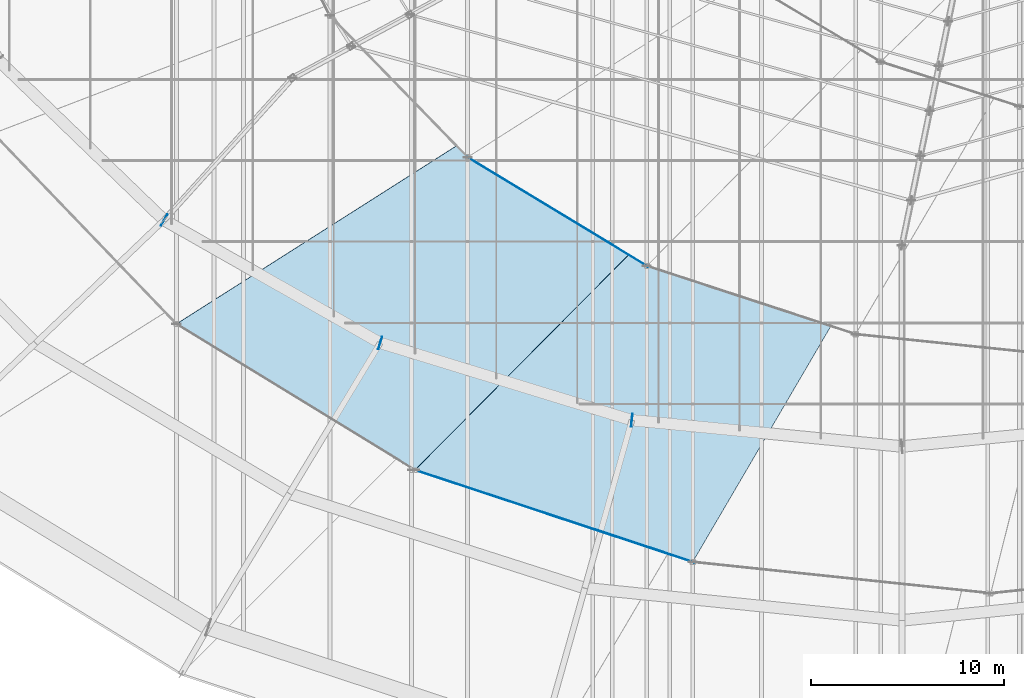
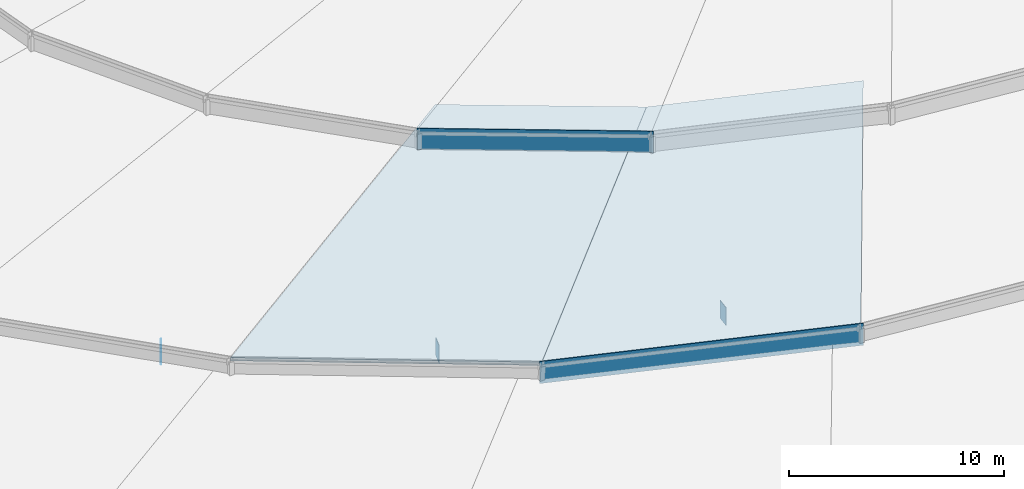
# One storey, part 137 of 184: 5 plates, 2 slabs.
"""IFC4 building model written with IfcOpenShell, lengths in metres."""

from ifc_helpers import new_model, si_unit, direction, frame, origin, origin_2d, place, context, subcontext, project, spatial, polyline, rectangle, outline, extrude, material, layer, layer_set, type_object, element, save


model = new_model("IFC4")

# Units and contexts
model_context = context("Model", 3, precision=1e-05, world=origin(), true_north=direction((0.0, 1.0)))
body_context = subcontext(model_context, "Body", "Model", "MODEL_VIEW")
ifc_project = project(units=[si_unit("LENGTHUNIT", "METRE"), si_unit("AREAUNIT", "SQUARE_METRE"), si_unit("VOLUMEUNIT", "CUBIC_METRE"), si_unit("PLANEANGLEUNIT", "RADIAN"), si_unit("MASSUNIT", "GRAM", prefix="KILO")], contexts=[model_context])

# Site, building, storey
site_placement = place(None, origin())
site = spatial("IfcSite", under=ifc_project, at=site_placement, CompositionType="ELEMENT")
building_placement = place(site_placement, origin())
building = spatial("IfcBuilding", under=site, at=building_placement, Name="Kalgoora Escarpment Arena", CompositionType="ELEMENT")
storey_placement = place(building_placement, frame((0.0, 0.0, 27.60009765625)))
storey = spatial("IfcBuildingStorey", under=building, at=storey_placement, Name="Roof Level", CompositionType="ELEMENT", Elevation=27.60009765625)

# Plates
ifc_material_1 = material(Name="Low-E double-glazed petal clerestory glass", Category="glass")
ifc_layer_1 = layer(ifc_material_1, 0.035888671875)
ifc_layer_set_1 = layer_set([ifc_layer_1], Name="PLT-PETAL-CLERESTORY")
plate_type_1 = type_object("IfcPlateType", Name="PLT-PETAL-CLERESTORY", PredefinedType="USERDEFINED", material=ifc_layer_set_1)
plate_1_placement = place(storey_placement, frame((74.38720703125, 20.3994140625, 0.260009765625), z_axis=(0.0, 0.0, 1.0), x_axis=(0.94937066116, -0.31415815719, 0.0)))
element("IfcPlate", 1, at=plate_1_placement, inside=storey, type_object=plate_type_1, Name="Petal RP2 glazed clerestory collar panel S17", ObjectType="CLERESTORY PANEL", PredefinedType="USERDEFINED", context=body_context, shape_type="SweptSolid", body=[
    extrude(rectangle(XDim=15.36767578125, YDim=0.0400390625, at=origin_2d()), origin(), (0.0, 0.0, 1.0), 1.25),
])
plate_2_placement = place(storey_placement, frame((74.560791015625, 36.155517578125, 2.7099609375), z_axis=(0.0, 0.0, 1.0), x_axis=(0.855092904614, -0.518474806022, 0.0)))
element("IfcPlate", 2, at=plate_2_placement, inside=storey, type_object=plate_type_1, Name="Petal RP3 glazed clerestory collar panel S16", ObjectType="CLERESTORY PANEL", PredefinedType="USERDEFINED", context=body_context, shape_type="SweptSolid", body=[
    extrude(rectangle(XDim=11.013427734375, YDim=0.0400390625, at=origin_2d()), origin(), (0.0, 0.0, 1.0), 1.25),
])
ifc_material_2 = material(Name="Structural steel Grade 350 (350 MPa)", Category="steel")
ifc_layer_2 = layer(ifc_material_2, 0.031982421875)
ifc_layer_set_2 = layer_set([ifc_layer_2], Name="PLT-RING-DIAPH")
plate_type_2 = type_object("IfcPlateType", Name="PLT-RING-DIAPH", PredefinedType="USERDEFINED", material=ifc_layer_set_2)
for number, where, z_axis, x_axis, name in (
    (3, (54.21630859375, 35.7158203125, -1.760009765625), (0.0, 0.0, 1.0), (0.869408707144, -0.494093614554, 0.0), "Inner ring node diaphragm plate 16"),
    (4, (65.39990234375, 29.35888671875, -1.760009765625), (0.0, 0.0, 1.0), (0.955998060733, -0.293372984228, 0.0), "Inner ring node diaphragm plate 17"),
    (5, (78.423828125, 25.363037109375, -1.760009765625), (0.0, 0.0, 1.0), (0.995278357843, -0.097061786558, 0.0), "Inner ring node diaphragm plate 18"),
):
    element("IfcPlate", number, at=place(storey_placement, frame(where, z_axis=z_axis, x_axis=x_axis)), inside=storey, type_object=plate_type_2, Name=name, ObjectType="FLANGE PLATE", PredefinedType="USERDEFINED", context=body_context, shape_type="SweptSolid", body=[
        extrude(rectangle(XDim=0.031982421875, YDim=0.679931640625, at=origin_2d()), origin(), (0.0, 0.0, 1.0), 1.02001953125),
    ])

# Slabs
ifc_material_3 = material(Name="White acoustic composite Concrete N40 (fc' 40 MPa)", Category="concrete")
ifc_layer_3 = layer(ifc_material_3, 0.205078125)
ifc_layer_set_3 = layer_set([ifc_layer_3], Name="SLB-PETAL-RP2")
slab_type = type_object("IfcSlabType", Name="SLB-PETAL-RP2", PredefinedType="ROOF", material=ifc_layer_set_3)
slab_1_placement = place(storey_placement, frame((54.8564453125, 30.341796875, 1.449951171875), z_axis=(-0.045101040114, -0.073583168332, 0.99626874563), x_axis=(0.85262187581, -0.522528407713, 4.855759e-06)))
element("IfcSlab", 6, at=slab_1_placement, inside=storey, type_object=slab_type, Name="Shifted white roof petal RP2 sector 16", PredefinedType="ROOF", context=body_context, shape_type="SweptSolid", body=[
    extrude(outline(polyline([(0.0, 0.0), (14.477112336926883, 0.0), (18.851548816076342, 18.595508121766226), (9.024822868500147, 18.53747060002472), (0.0, 0.0)])), origin(), (0.0, 0.0, -1.0), 0.205078125),
])
slab_2_placement = place(storey_placement, frame((67.199951171875, 22.777099609375, 1.449951171875), z_axis=(-0.029366548503, -0.088757418538, 0.995620272234), x_axis=(0.949401467213, -0.314065047448, 5.063548e-06)))
element("IfcSlab", 7, at=slab_2_placement, inside=storey, type_object=slab_type, Name="Shifted white roof petal RP2 sector 17", PredefinedType="ROOF", context=body_context, shape_type="SweptSolid", body=[
    extrude(outline(polyline([(0.0, 0.0), (15.140601688403521, -8.881784197001252e-16), (18.788904272379767, 17.153432531658122), (8.488608262173408, 17.113027655958096), (0.0, 0.0)])), origin(), (0.0, 0.0, -1.0), 0.205078125),
])

save(model, "model.ifc")
